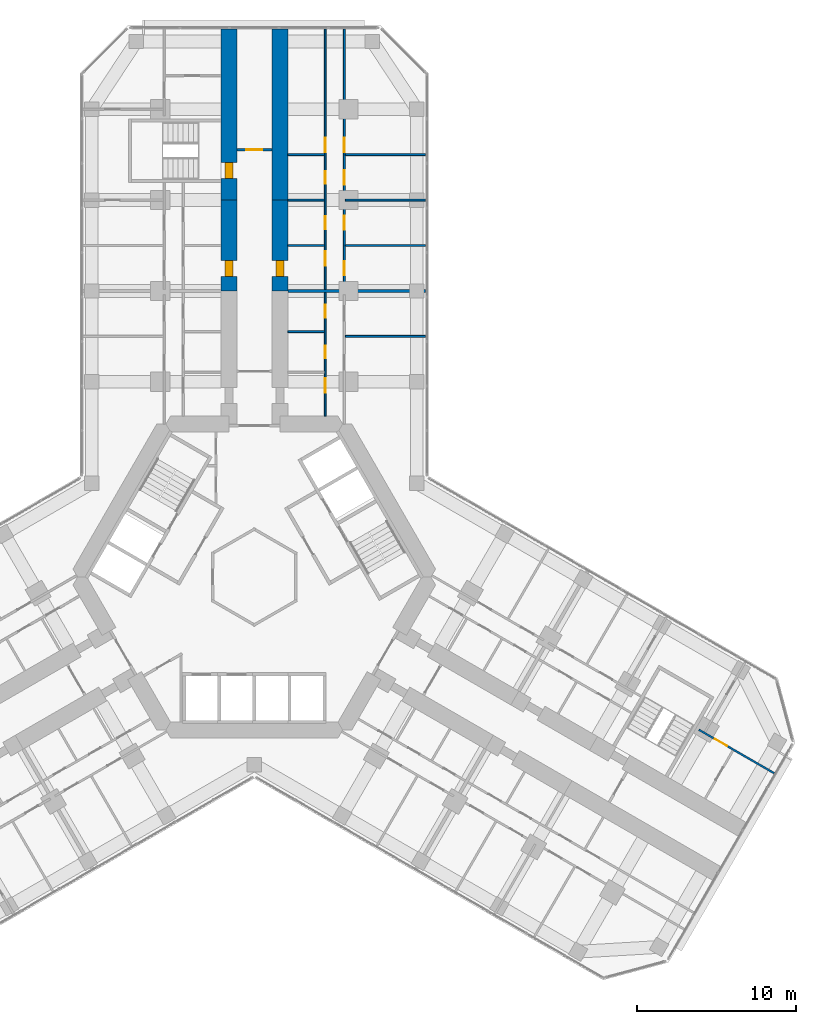
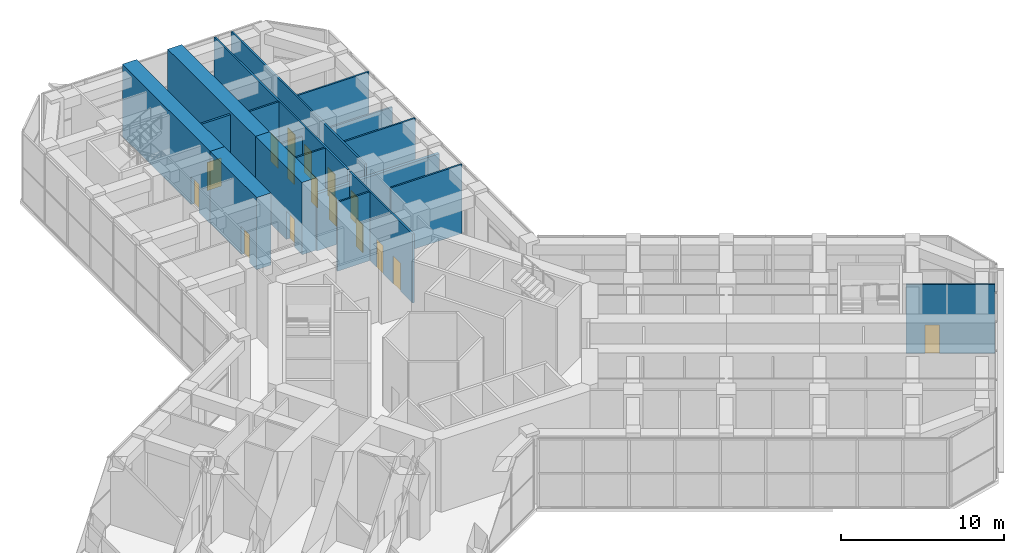
# One storey, part 20 of 23: 18 walls, 16 doors, 16 openings.
"""IFC4 building model written with IfcOpenShell, lengths in metres."""

from ifc_helpers import new_model, si_unit, direction, frame, frame_2d, origin, place, context, subcontext, project, spatial, rectangle, extrude, material, layer, layer_set, type_object, element, fill, save


model = new_model("IFC4")

# Units and contexts
model_context = context("Model", 3, precision=1e-05, world=origin(), true_north=direction((0.0, 1.0)))
body_context = subcontext(model_context, "Body", "Model", "MODEL_VIEW")
ifc_project = project(units=[si_unit("LENGTHUNIT", "METRE"), si_unit("AREAUNIT", "SQUARE_METRE"), si_unit("VOLUMEUNIT", "CUBIC_METRE"), si_unit("PLANEANGLEUNIT", "RADIAN"), si_unit("MASSUNIT", "GRAM", prefix="KILO")], contexts=[model_context])

# Site, building, storey
site_placement = place(None, origin())
site = spatial("IfcSite", under=ifc_project, at=site_placement, CompositionType="ELEMENT")
building_placement = place(site_placement, origin())
building = spatial("IfcBuilding", under=site, at=building_placement, Name="Kosmar Iwan School Tower", CompositionType="ELEMENT")
storey_placement = place(building_placement, frame((0.0, 0.0, 75.39990234375)))
storey = spatial("IfcBuildingStorey", under=building, at=storey_placement, Name="L18", CompositionType="ELEMENT", Elevation=75.39990234375)

# Wall, opening, door
ifc_material_1 = material(Name="Concrete C50/60", Category="concrete")
ifc_layer_1 = layer(ifc_material_1, 1.0)
ifc_layer_set_1 = layer_set([ifc_layer_1], Name="Corridor buttress wall 1000")
wall_type_1 = type_object("IfcWallType", Name="Corridor buttress wall 1000", PredefinedType="SHEAR", material=ifc_layer_set_1)
wall_1_placement = place(storey_placement, frame((-1.60009765625, 17.949951171875, 0.0), z_axis=(0.0, 0.0, 1.0), x_axis=(0.0, 1.0, 0.0)))
wall_1 = element("IfcWall", 1, at=wall_1_placement, inside=storey, type_object=wall_type_1, Name="Corridor wall AL bay 2", PredefinedType="SHEAR", context=body_context, shape_type="SweptSolid", body=[
    extrude(rectangle(XDim=5.699951171875, YDim=1.0, at=frame_2d((2.85009765625, 0.0))), origin(), (0.0, 0.0, 1.0), 5.400146484375),
])
opening_1_placement = place(wall_1_placement, frame((0.89990234375, 0.0, 0.0)))
opening_1 = element("IfcOpeningElement", 2, at=opening_1_placement, cuts=wall_1, Name="Opening D1", PredefinedType="OPENING", context=body_context, shape_type="SweptSolid", body=[
    extrude(rectangle(XDim=1.0, YDim=2.10009765625, at=frame_2d((0.5, 1.050048828125))), frame((0.0, 0.511962890625, 0.0), z_axis=(0.0, -1.0, 0.0), x_axis=(1.0, 0.0, 0.0)), (0.0, 0.0, 1.0), 1.02392578125),
])
ifc_material_2 = material(Name="Timber fire door in steel frame", Category="steel")
door_type_1 = type_object("IfcDoorType", Name="Flat entrance door 1000x2100", OperationType="SINGLE_SWING_LEFT", PredefinedType="DOOR", material=ifc_material_2)
door_1_placement = place(opening_1_placement, origin())
door_1 = element("IfcDoor", 3, at=door_1_placement, inside=storey, type_object=door_type_1, Name="Flat L18-AL2 entrance door", OperationType="SINGLE_SWING_LEFT", OverallHeight=2.10009765625, OverallWidth=1.0, PredefinedType="DOOR", context=body_context, shape_type="SweptSolid", body=[
    extrude(rectangle(XDim=1.0, YDim=2.10009765625, at=frame_2d((0.5, 1.050048828125))), frame((0.0, 0.25, 0.0), z_axis=(0.0, -1.0, 0.0), x_axis=(1.0, 0.0, 0.0)), (0.0, 0.0, 1.0), 0.5),
])
fill(opening_1, door_1)

wall_2_placement = place(storey_placement, frame((-1.60009765625, 23.64990234375, 0.0), z_axis=(0.0, 0.0, 1.0), x_axis=(0.0, 1.0, 0.0)))
wall_2 = element("IfcWall", 4, at=wall_2_placement, inside=storey, type_object=wall_type_1, Name="Corridor wall AL bay 3", PredefinedType="SHEAR", context=body_context, shape_type="SweptSolid", body=[
    extrude(rectangle(XDim=10.7451171875, YDim=1.0, at=frame_2d((5.37255859375, 0.0))), origin(), (0.0, 0.0, 1.0), 5.400146484375),
])
opening_2_placement = place(wall_2_placement, frame((1.35009765625, 0.0, 0.0)))
opening_2 = element("IfcOpeningElement", 5, at=opening_2_placement, cuts=wall_2, Name="Opening D6", PredefinedType="OPENING", context=body_context, shape_type="SweptSolid", body=[
    extrude(rectangle(XDim=1.0, YDim=2.10009765625, at=frame_2d((0.5, 1.050048828125))), frame((0.0, 0.511962890625, 0.0), z_axis=(0.0, -1.0, 0.0), x_axis=(1.0, 0.0, 0.0)), (0.0, 0.0, 1.0), 1.02392578125),
])
ifc_material_3 = material(Name="Steel fire door", Category="steel")
door_type_2 = type_object("IfcDoorType", Name="Stair door 1000x2100", OperationType="SINGLE_SWING_LEFT", PredefinedType="DOOR", material=ifc_material_3)
door_2_placement = place(opening_2_placement, origin())
door_2 = element("IfcDoor", 6, at=door_2_placement, inside=storey, type_object=door_type_2, Name="Stair WS1 door L18", OperationType="SINGLE_SWING_LEFT", OverallHeight=2.10009765625, OverallWidth=1.0, PredefinedType="DOOR", context=body_context, shape_type="SweptSolid", body=[
    extrude(rectangle(XDim=1.0, YDim=2.10009765625, at=frame_2d((0.5, 1.050048828125))), frame((0.0, 0.25, 0.0), z_axis=(0.0, -1.0, 0.0), x_axis=(1.0, 0.0, 0.0)), (0.0, 0.0, 1.0), 0.5),
])
fill(opening_2, door_2)

wall_3_placement = place(storey_placement, frame((1.60009765625, 17.949951171875, 0.0), z_axis=(0.0, 0.0, 1.0), x_axis=(0.0, 1.0, 0.0)))
wall_3 = element("IfcWall", 7, at=wall_3_placement, inside=storey, type_object=wall_type_1, Name="Corridor wall AR bay 2", PredefinedType="SHEAR", context=body_context, shape_type="SweptSolid", body=[
    extrude(rectangle(XDim=5.699951171875, YDim=1.0, at=frame_2d((2.85009765625, 0.0))), origin(), (0.0, 0.0, 1.0), 5.400146484375),
])
opening_3_placement = place(wall_3_placement, frame((0.89990234375, 0.0, 0.0)))
opening_3 = element("IfcOpeningElement", 8, at=opening_3_placement, cuts=wall_3, Name="Opening D1", PredefinedType="OPENING", context=body_context, shape_type="SweptSolid", body=[
    extrude(rectangle(XDim=1.0, YDim=2.10009765625, at=frame_2d((0.5, 1.050048828125))), frame((0.0, 0.511962890625, 0.0), z_axis=(0.0, -1.0, 0.0), x_axis=(1.0, 0.0, 0.0)), (0.0, 0.0, 1.0), 1.02392578125),
])
door_3_placement = place(opening_3_placement, origin())
door_3 = element("IfcDoor", 9, at=door_3_placement, inside=storey, type_object=door_type_1, Name="Flat L18-AR2 entrance door", OperationType="SINGLE_SWING_LEFT", OverallHeight=2.10009765625, OverallWidth=1.0, PredefinedType="DOOR", context=body_context, shape_type="SweptSolid", body=[
    extrude(rectangle(XDim=1.0, YDim=2.10009765625, at=frame_2d((0.5, 1.050048828125))), frame((0.0, 0.25, 0.0), z_axis=(0.0, -1.0, 0.0), x_axis=(1.0, 0.0, 0.0)), (0.0, 0.0, 1.0), 0.5),
])
fill(opening_3, door_3)

# Wall
wall_4_placement = place(storey_placement, frame((1.60009765625, 23.64990234375, 0.0), z_axis=(0.0, 0.0, 1.0), x_axis=(0.0, 1.0, 0.0)))
element("IfcWall", 10, at=wall_4_placement, inside=storey, type_object=wall_type_1, Name="Corridor wall AR bay 3", PredefinedType="SHEAR", context=body_context, shape_type="SweptSolid", body=[
    extrude(rectangle(XDim=10.7451171875, YDim=1.0, at=frame_2d((5.37255859375, 0.0))), origin(), (0.0, 0.0, 1.0), 5.400146484375),
])

# Wall, opening, door
ifc_material_4 = material(Name="Gypsum board on steel studs, fire-rated", Category="steel")
ifc_layer_2 = layer(ifc_material_4, 0.14990234375)
ifc_layer_set_2 = layer_set([ifc_layer_2], Name="Corridor end wall 150")
wall_type_2 = type_object("IfcWallType", Name="Corridor end wall 150", PredefinedType="PARTITIONING", material=ifc_layer_set_2)
wall_5_placement = place(storey_placement, frame((1.10009765625, 26.800048828125, 0.0), z_axis=(0.0, 0.0, 1.0), x_axis=(-1.0, 0.0, 0.0)))
wall_5 = element("IfcWall", 11, at=wall_5_placement, inside=storey, type_object=wall_type_2, Name="Partition L18-A-CE", PredefinedType="PARTITIONING", context=body_context, shape_type="SweptSolid", body=[
    extrude(rectangle(XDim=2.2001953125, YDim=0.14990234375, at=frame_2d((1.10009765625, 0.0))), origin(), (0.0, 0.0, 1.0), 5.150146484375),
])
opening_4_placement = place(wall_5_placement, frame((0.60009765625, 0.0, 0.0)))
opening_4 = element("IfcOpeningElement", 12, at=opening_4_placement, cuts=wall_5, Name="Opening D13", PredefinedType="OPENING", context=body_context, shape_type="SweptSolid", body=[
    extrude(rectangle(XDim=1.0, YDim=2.10009765625, at=frame_2d((0.5, 1.050048828125))), frame((0.0, 0.0869140625, 0.0), z_axis=(0.0, -1.0, 0.0), x_axis=(1.0, 0.0, 0.0)), (0.0, 0.0, 1.0), 0.173828125),
])
ifc_material_5 = material(Name="Timber fire door with vision panel", Category="wood")
door_type_3 = type_object("IfcDoorType", Name="Corridor end door 1000x2100", OperationType="SINGLE_SWING_LEFT", PredefinedType="DOOR", material=ifc_material_5)
door_4_placement = place(opening_4_placement, origin())
door_4 = element("IfcDoor", 13, at=door_4_placement, inside=storey, type_object=door_type_3, Name="Family study room door L18-A", OperationType="SINGLE_SWING_RIGHT", OverallHeight=2.10009765625, OverallWidth=1.0, PredefinedType="DOOR", context=body_context, shape_type="SweptSolid", body=[
    extrude(rectangle(XDim=1.0, YDim=2.10009765625, at=frame_2d((0.5, 1.050048828125))), frame((0.0, 0.02490234375, 0.0), z_axis=(0.0, -1.0, 0.0), x_axis=(1.0, 0.0, 0.0)), (0.0, 0.0, 1.0), 0.050048828125),
])
fill(opening_4, door_4)

# Wall, openings, doors
ifc_material_6 = material(Name="Gypsum board on steel studs", Category="steel")
ifc_layer_3 = layer(ifc_material_6, 0.1201171875)
ifc_layer_set_3 = layer_set([ifc_layer_3], Name="Dwelling partition 120")
wall_type_3 = type_object("IfcWallType", Name="Dwelling partition 120", PredefinedType="PARTITIONING", material=ifc_layer_set_3)
wall_6_placement = place(storey_placement, frame((4.449951171875, 10.10009765625, 0.0), z_axis=(0.0, 0.0, 1.0), x_axis=(0.0, 1.0, 0.0)))
wall_6 = element("IfcWall", 14, at=wall_6_placement, inside=storey, type_object=wall_type_3, Name="Partition L18-AR1-W1", PredefinedType="PARTITIONING", context=body_context, shape_type="SweptSolid", body=[
    extrude(rectangle(XDim=7.75, YDim=0.1201171875, at=frame_2d((3.875, 0.0))), origin(), (0.0, 0.0, 1.0), 5.150146484375),
])
opening_5_placement = place(wall_6_placement, frame((1.47509765625, 0.0, 0.0)))
opening_5 = element("IfcOpeningElement", 15, at=opening_5_placement, cuts=wall_6, Name="Opening D2", PredefinedType="OPENING", context=body_context, shape_type="SweptSolid", body=[
    extrude(rectangle(XDim=0.89990234375, YDim=2.10009765625, at=frame_2d((0.449951171875, 1.050048828125))), frame((0.0, 0.072021484375, 0.0), z_axis=(0.0, -1.0, 0.0), x_axis=(1.0, 0.0, 0.0)), (0.0, 0.0, 1.0), 0.14404296875),
])
opening_6_placement = place(wall_6_placement, frame((3.625, 0.0, 0.0)))
opening_6 = element("IfcOpeningElement", 16, at=opening_6_placement, cuts=wall_6, Name="Opening D3", PredefinedType="OPENING", context=body_context, shape_type="SweptSolid", body=[
    extrude(rectangle(XDim=0.800048828125, YDim=2.10009765625, at=frame_2d((0.39990234375, 1.050048828125))), frame((0.0, 0.072021484375, 0.0), z_axis=(0.0, -1.0, 0.0), x_axis=(1.0, 0.0, 0.0)), (0.0, 0.0, 1.0), 0.14404296875),
])
opening_7_placement = place(wall_6_placement, frame((6.175048828125, 0.0, 0.0)))
opening_7 = element("IfcOpeningElement", 17, at=opening_7_placement, cuts=wall_6, Name="Opening D3", PredefinedType="OPENING", context=body_context, shape_type="SweptSolid", body=[
    extrude(rectangle(XDim=0.800048828125, YDim=2.10009765625, at=frame_2d((0.39990234375, 1.050048828125))), frame((0.0, 0.072021484375, 0.0), z_axis=(0.0, -1.0, 0.0), x_axis=(1.0, 0.0, 0.0)), (0.0, 0.0, 1.0), 0.14404296875),
])
ifc_material_7 = material(Name="Timber door in timber frame", Category="wood")
door_type_4 = type_object("IfcDoorType", Name="Internal door 900x2100", OperationType="SINGLE_SWING_LEFT", PredefinedType="DOOR", material=ifc_material_7)
door_5_placement = place(opening_5_placement, origin())
door_5 = element("IfcDoor", 18, at=door_5_placement, inside=storey, type_object=door_type_4, Name="Entrance hall door L18-AR1-S1", OperationType="SINGLE_SWING_RIGHT", OverallHeight=2.10009765625, OverallWidth=0.89990234375, PredefinedType="DOOR", context=body_context, shape_type="SweptSolid", body=[
    extrude(rectangle(XDim=0.89990234375, YDim=2.10009765625, at=frame_2d((0.449951171875, 1.050048828125))), frame((0.0, 0.02490234375, 0.0), z_axis=(0.0, -1.0, 0.0), x_axis=(1.0, 0.0, 0.0)), (0.0, 0.0, 1.0), 0.050048828125),
])
fill(opening_5, door_5)
ifc_material_8 = material(Name="Timber door in timber frame", Category="wood")
door_type_5 = type_object("IfcDoorType", Name="Sanitary room door 800x2100", OperationType="SINGLE_SWING_LEFT", PredefinedType="DOOR", material=ifc_material_8)
door_6_placement = place(opening_6_placement, origin())
door_6 = element("IfcDoor", 19, at=door_6_placement, inside=storey, type_object=door_type_5, Name="Bathroom door L18-AR1-S2", OperationType="SINGLE_SWING_RIGHT", OverallHeight=2.10009765625, OverallWidth=0.800048828125, PredefinedType="DOOR", context=body_context, shape_type="SweptSolid", body=[
    extrude(rectangle(XDim=0.800048828125, YDim=2.10009765625, at=frame_2d((0.39990234375, 1.050048828125))), frame((0.0, 0.02490234375, 0.0), z_axis=(0.0, -1.0, 0.0), x_axis=(1.0, 0.0, 0.0)), (0.0, 0.0, 1.0), 0.050048828125),
])
fill(opening_6, door_6)
door_7_placement = place(opening_7_placement, origin())
door_7 = element("IfcDoor", 20, at=door_7_placement, inside=storey, type_object=door_type_5, Name="Store door L18-AR1-S3", OperationType="SINGLE_SWING_RIGHT", OverallHeight=2.10009765625, OverallWidth=0.800048828125, PredefinedType="DOOR", context=body_context, shape_type="SweptSolid", body=[
    extrude(rectangle(XDim=0.800048828125, YDim=2.10009765625, at=frame_2d((0.39990234375, 1.050048828125))), frame((0.0, 0.02490234375, 0.0), z_axis=(0.0, -1.0, 0.0), x_axis=(1.0, 0.0, 0.0)), (0.0, 0.0, 1.0), 0.050048828125),
])
fill(opening_7, door_7)

# Walls
wall_7_placement = place(storey_placement, frame((5.7099609375, 15.10009765625, 0.0), z_axis=(0.0, 0.0, 1.0), x_axis=(1.0, 0.0, 0.0)))
element("IfcWall", 21, at=wall_7_placement, inside=storey, type_object=wall_type_3, Name="Partition L18-AR1-X1", PredefinedType="PARTITIONING", context=body_context, shape_type="SweptSolid", body=[
    extrude(rectangle(XDim=5.03515625, YDim=0.1201171875, at=frame_2d((2.517578125, 0.0))), origin(), (0.0, 0.0, 1.0), 5.150146484375),
])
wall_8_placement = place(storey_placement, frame((2.10009765625, 15.39990234375, 0.0), z_axis=(0.0, 0.0, 1.0), x_axis=(1.0, 0.0, 0.0)))
element("IfcWall", 22, at=wall_8_placement, inside=storey, type_object=wall_type_3, Name="Partition L18-AR1-Y2", PredefinedType="PARTITIONING", context=body_context, shape_type="SweptSolid", body=[
    extrude(rectangle(XDim=2.289794921875, YDim=0.1201171875, at=frame_2d((1.14501953125, 0.0))), origin(), (0.0, 0.0, 1.0), 5.150146484375),
])

# Wall, openings, doors
wall_9_placement = place(storey_placement, frame((4.449951171875, 18.050048828125, 0.0), z_axis=(0.0, 0.0, 1.0), x_axis=(0.0, 1.0, 0.0)))
wall_9 = element("IfcWall", 23, at=wall_9_placement, inside=storey, type_object=wall_type_3, Name="Partition L18-AR2-W1", PredefinedType="PARTITIONING", context=body_context, shape_type="SweptSolid", body=[
    extrude(rectangle(XDim=16.344970703125, YDim=0.1201171875, at=frame_2d((8.17236328125, 0.0))), origin(), (0.0, 0.0, 1.0), 5.150146484375),
])
opening_8_placement = place(wall_9_placement, frame((1.47509765625, 0.0, 0.0)))
opening_8 = element("IfcOpeningElement", 24, at=opening_8_placement, cuts=wall_9, Name="Opening D2", PredefinedType="OPENING", context=body_context, shape_type="SweptSolid", body=[
    extrude(rectangle(XDim=0.89990234375, YDim=2.10009765625, at=frame_2d((0.449951171875, 1.050048828125))), frame((0.0, 0.072021484375, 0.0), z_axis=(0.0, -1.0, 0.0), x_axis=(1.0, 0.0, 0.0)), (0.0, 0.0, 1.0), 0.14404296875),
])
opening_9_placement = place(wall_9_placement, frame((3.77490234375, 0.0, 0.0)))
opening_9 = element("IfcOpeningElement", 25, at=opening_9_placement, cuts=wall_9, Name="Opening D3", PredefinedType="OPENING", context=body_context, shape_type="SweptSolid", body=[
    extrude(rectangle(XDim=0.800048828125, YDim=2.10009765625, at=frame_2d((0.39990234375, 1.050048828125))), frame((0.0, 0.072021484375, 0.0), z_axis=(0.0, -1.0, 0.0), x_axis=(1.0, 0.0, 0.0)), (0.0, 0.0, 1.0), 0.14404296875),
])
opening_10_placement = place(wall_9_placement, frame((6.625, 0.0, 0.0)))
opening_10 = element("IfcOpeningElement", 26, at=opening_10_placement, cuts=wall_9, Name="Opening D3", PredefinedType="OPENING", context=body_context, shape_type="SweptSolid", body=[
    extrude(rectangle(XDim=0.800048828125, YDim=2.10009765625, at=frame_2d((0.39990234375, 1.050048828125))), frame((0.0, 0.072021484375, 0.0), z_axis=(0.0, -1.0, 0.0), x_axis=(1.0, 0.0, 0.0)), (0.0, 0.0, 1.0), 0.14404296875),
])
opening_11_placement = place(wall_9_placement, frame((8.610107421875, 0.0, 0.0)))
opening_11 = element("IfcOpeningElement", 27, at=opening_11_placement, cuts=wall_9, Name="Opening D2", PredefinedType="OPENING", context=body_context, shape_type="SweptSolid", body=[
    extrude(rectangle(XDim=0.89990234375, YDim=2.10009765625, at=frame_2d((0.449951171875, 1.050048828125))), frame((0.0, 0.072021484375, 0.0), z_axis=(0.0, -1.0, 0.0), x_axis=(1.0, 0.0, 0.0)), (0.0, 0.0, 1.0), 0.14404296875),
])
door_8_placement = place(opening_8_placement, origin())
door_8 = element("IfcDoor", 28, at=door_8_placement, inside=storey, type_object=door_type_4, Name="Entrance hall door L18-AR2-S1", OperationType="SINGLE_SWING_RIGHT", OverallHeight=2.10009765625, OverallWidth=0.89990234375, PredefinedType="DOOR", context=body_context, shape_type="SweptSolid", body=[
    extrude(rectangle(XDim=0.89990234375, YDim=2.10009765625, at=frame_2d((0.449951171875, 1.050048828125))), frame((0.0, 0.02490234375, 0.0), z_axis=(0.0, -1.0, 0.0), x_axis=(1.0, 0.0, 0.0)), (0.0, 0.0, 1.0), 0.050048828125),
])
fill(opening_8, door_8)
door_9_placement = place(opening_11_placement, origin())
door_9 = element("IfcDoor", 29, at=door_9_placement, inside=storey, type_object=door_type_4, Name="Bedroom 4 door L18-AR2-S4", OperationType="SINGLE_SWING_LEFT", OverallHeight=2.10009765625, OverallWidth=0.89990234375, PredefinedType="DOOR", context=body_context, shape_type="SweptSolid", body=[
    extrude(rectangle(XDim=0.89990234375, YDim=2.10009765625, at=frame_2d((0.449951171875, 1.050048828125))), frame((0.0, 0.02490234375, 0.0), z_axis=(0.0, -1.0, 0.0), x_axis=(1.0, 0.0, 0.0)), (0.0, 0.0, 1.0), 0.050048828125),
])
fill(opening_11, door_9)
door_10_placement = place(opening_9_placement, origin())
door_10 = element("IfcDoor", 30, at=door_10_placement, inside=storey, type_object=door_type_5, Name="Bathroom door L18-AR2-S2", OperationType="SINGLE_SWING_RIGHT", OverallHeight=2.10009765625, OverallWidth=0.800048828125, PredefinedType="DOOR", context=body_context, shape_type="SweptSolid", body=[
    extrude(rectangle(XDim=0.800048828125, YDim=2.10009765625, at=frame_2d((0.39990234375, 1.050048828125))), frame((0.0, 0.02490234375, 0.0), z_axis=(0.0, -1.0, 0.0), x_axis=(1.0, 0.0, 0.0)), (0.0, 0.0, 1.0), 0.050048828125),
])
fill(opening_9, door_10)
door_11_placement = place(opening_10_placement, origin())
door_11 = element("IfcDoor", 31, at=door_11_placement, inside=storey, type_object=door_type_5, Name="Shower room door L18-AR2-S3", OperationType="SINGLE_SWING_LEFT", OverallHeight=2.10009765625, OverallWidth=0.800048828125, PredefinedType="DOOR", context=body_context, shape_type="SweptSolid", body=[
    extrude(rectangle(XDim=0.800048828125, YDim=2.10009765625, at=frame_2d((0.39990234375, 1.050048828125))), frame((0.0, 0.02490234375, 0.0), z_axis=(0.0, -1.0, 0.0), x_axis=(1.0, 0.0, 0.0)), (0.0, 0.0, 1.0), 0.050048828125),
])
fill(opening_10, door_11)

wall_10_placement = place(storey_placement, frame((5.64990234375, 18.050048828125, 0.0), z_axis=(0.0, 0.0, 1.0), x_axis=(0.0, 1.0, 0.0)))
wall_10 = element("IfcWall", 32, at=wall_10_placement, inside=storey, type_object=wall_type_3, Name="Partition L18-AR2-W2", PredefinedType="PARTITIONING", context=body_context, shape_type="SweptSolid", body=[
    extrude(rectangle(XDim=16.344970703125, YDim=0.1201171875, at=frame_2d((8.17236328125, 0.0))), origin(), (0.0, 0.0, 1.0), 5.150146484375),
])
opening_12_placement = place(wall_10_placement, frame((0.875, 0.0, 0.0)))
opening_12 = element("IfcOpeningElement", 33, at=opening_12_placement, cuts=wall_10, Name="Opening D2", PredefinedType="OPENING", context=body_context, shape_type="SweptSolid", body=[
    extrude(rectangle(XDim=0.89990234375, YDim=2.10009765625, at=frame_2d((0.449951171875, 1.050048828125))), frame((0.0, 0.072021484375, 0.0), z_axis=(0.0, -1.0, 0.0), x_axis=(1.0, 0.0, 0.0)), (0.0, 0.0, 1.0), 0.14404296875),
])
opening_13_placement = place(wall_10_placement, frame((3.72509765625, 0.0, 0.0)))
opening_13 = element("IfcOpeningElement", 34, at=opening_13_placement, cuts=wall_10, Name="Opening D2", PredefinedType="OPENING", context=body_context, shape_type="SweptSolid", body=[
    extrude(rectangle(XDim=0.89990234375, YDim=2.10009765625, at=frame_2d((0.449951171875, 1.050048828125))), frame((0.0, 0.072021484375, 0.0), z_axis=(0.0, -1.0, 0.0), x_axis=(1.0, 0.0, 0.0)), (0.0, 0.0, 1.0), 0.14404296875),
])
opening_14_placement = place(wall_10_placement, frame((6.574951171875, 0.0, 0.0)))
opening_14 = element("IfcOpeningElement", 35, at=opening_14_placement, cuts=wall_10, Name="Opening D2", PredefinedType="OPENING", context=body_context, shape_type="SweptSolid", body=[
    extrude(rectangle(XDim=0.89990234375, YDim=2.10009765625, at=frame_2d((0.449951171875, 1.050048828125))), frame((0.0, 0.072021484375, 0.0), z_axis=(0.0, -1.0, 0.0), x_axis=(1.0, 0.0, 0.0)), (0.0, 0.0, 1.0), 0.14404296875),
])
opening_15_placement = place(wall_10_placement, frame((8.610107421875, 0.0, 0.0)))
opening_15 = element("IfcOpeningElement", 36, at=opening_15_placement, cuts=wall_10, Name="Opening D2", PredefinedType="OPENING", context=body_context, shape_type="SweptSolid", body=[
    extrude(rectangle(XDim=0.89990234375, YDim=2.10009765625, at=frame_2d((0.449951171875, 1.050048828125))), frame((0.0, 0.072021484375, 0.0), z_axis=(0.0, -1.0, 0.0), x_axis=(1.0, 0.0, 0.0)), (0.0, 0.0, 1.0), 0.14404296875),
])
door_12_placement = place(opening_12_placement, origin())
door_12 = element("IfcDoor", 37, at=door_12_placement, inside=storey, type_object=door_type_4, Name="Bedroom 1 door L18-AR2-F1", OperationType="SINGLE_SWING_LEFT", OverallHeight=2.10009765625, OverallWidth=0.89990234375, PredefinedType="DOOR", context=body_context, shape_type="SweptSolid", body=[
    extrude(rectangle(XDim=0.89990234375, YDim=2.10009765625, at=frame_2d((0.449951171875, 1.050048828125))), frame((0.0, 0.02490234375, 0.0), z_axis=(0.0, -1.0, 0.0), x_axis=(1.0, 0.0, 0.0)), (0.0, 0.0, 1.0), 0.050048828125),
])
fill(opening_12, door_12)
door_13_placement = place(opening_13_placement, origin())
door_13 = element("IfcDoor", 38, at=door_13_placement, inside=storey, type_object=door_type_4, Name="Bedroom 2 door L18-AR2-F2", OperationType="SINGLE_SWING_LEFT", OverallHeight=2.10009765625, OverallWidth=0.89990234375, PredefinedType="DOOR", context=body_context, shape_type="SweptSolid", body=[
    extrude(rectangle(XDim=0.89990234375, YDim=2.10009765625, at=frame_2d((0.449951171875, 1.050048828125))), frame((0.0, 0.02490234375, 0.0), z_axis=(0.0, -1.0, 0.0), x_axis=(1.0, 0.0, 0.0)), (0.0, 0.0, 1.0), 0.050048828125),
])
fill(opening_13, door_13)
door_14_placement = place(opening_14_placement, origin())
door_14 = element("IfcDoor", 39, at=door_14_placement, inside=storey, type_object=door_type_4, Name="Bedroom 3 door L18-AR2-F3", OperationType="SINGLE_SWING_LEFT", OverallHeight=2.10009765625, OverallWidth=0.89990234375, PredefinedType="DOOR", context=body_context, shape_type="SweptSolid", body=[
    extrude(rectangle(XDim=0.89990234375, YDim=2.10009765625, at=frame_2d((0.449951171875, 1.050048828125))), frame((0.0, 0.02490234375, 0.0), z_axis=(0.0, -1.0, 0.0), x_axis=(1.0, 0.0, 0.0)), (0.0, 0.0, 1.0), 0.050048828125),
])
fill(opening_14, door_14)
door_15_placement = place(opening_15_placement, origin())
door_15 = element("IfcDoor", 40, at=door_15_placement, inside=storey, type_object=door_type_4, Name="Living room and kitchen door L18-AR2-F4", OperationType="SINGLE_SWING_RIGHT", OverallHeight=2.10009765625, OverallWidth=0.89990234375, PredefinedType="DOOR", context=body_context, shape_type="SweptSolid", body=[
    extrude(rectangle(XDim=0.89990234375, YDim=2.10009765625, at=frame_2d((0.449951171875, 1.050048828125))), frame((0.0, 0.02490234375, 0.0), z_axis=(0.0, -1.0, 0.0), x_axis=(1.0, 0.0, 0.0)), (0.0, 0.0, 1.0), 0.050048828125),
])
fill(opening_15, door_15)

# Walls
wall_11_placement = place(storey_placement, frame((5.7099609375, 20.800048828125, 0.0), z_axis=(0.0, 0.0, 1.0), x_axis=(1.0, 0.0, 0.0)))
element("IfcWall", 41, at=wall_11_placement, inside=storey, type_object=wall_type_3, Name="Partition L18-AR2-X1", PredefinedType="PARTITIONING", context=body_context, shape_type="SweptSolid", body=[
    extrude(rectangle(XDim=5.03515625, YDim=0.1201171875, at=frame_2d((2.517578125, 0.0))), origin(), (0.0, 0.0, 1.0), 5.150146484375),
])
wall_12_placement = place(storey_placement, frame((5.7099609375, 23.64990234375, 0.0), z_axis=(0.0, 0.0, 1.0), x_axis=(1.0, 0.0, 0.0)))
element("IfcWall", 42, at=wall_12_placement, inside=storey, type_object=wall_type_3, Name="Partition L18-AR2-X2", PredefinedType="PARTITIONING", context=body_context, shape_type="SweptSolid", body=[
    extrude(rectangle(XDim=5.03515625, YDim=0.1201171875, at=frame_2d((2.517578125, 0.0))), origin(), (0.0, 0.0, 1.0), 4.25),
])
wall_13_placement = place(storey_placement, frame((5.7099609375, 26.5, 0.0), z_axis=(0.0, 0.0, 1.0), x_axis=(1.0, 0.0, 0.0)))
element("IfcWall", 43, at=wall_13_placement, inside=storey, type_object=wall_type_3, Name="Partition L18-AR2-X3", PredefinedType="PARTITIONING", context=body_context, shape_type="SweptSolid", body=[
    extrude(rectangle(XDim=5.03515625, YDim=0.1201171875, at=frame_2d((2.517578125, 0.0))), origin(), (0.0, 0.0, 1.0), 5.150146484375),
])
wall_14_placement = place(storey_placement, frame((2.10009765625, 20.800048828125, 0.0), z_axis=(0.0, 0.0, 1.0), x_axis=(1.0, 0.0, 0.0)))
element("IfcWall", 44, at=wall_14_placement, inside=storey, type_object=wall_type_3, Name="Partition L18-AR2-Y1", PredefinedType="PARTITIONING", context=body_context, shape_type="SweptSolid", body=[
    extrude(rectangle(XDim=2.289794921875, YDim=0.1201171875, at=frame_2d((1.14501953125, 0.0))), origin(), (0.0, 0.0, 1.0), 5.150146484375),
])
wall_15_placement = place(storey_placement, frame((2.10009765625, 23.64990234375, 0.0), z_axis=(0.0, 0.0, 1.0), x_axis=(1.0, 0.0, 0.0)))
element("IfcWall", 45, at=wall_15_placement, inside=storey, type_object=wall_type_3, Name="Partition L18-AR2-Y2", PredefinedType="PARTITIONING", context=body_context, shape_type="SweptSolid", body=[
    extrude(rectangle(XDim=2.289794921875, YDim=0.1201171875, at=frame_2d((1.14501953125, 0.0))), origin(), (0.0, 0.0, 1.0), 4.25),
])
wall_16_placement = place(storey_placement, frame((2.10009765625, 26.5, 0.0), z_axis=(0.0, 0.0, 1.0), x_axis=(1.0, 0.0, 0.0)))
element("IfcWall", 46, at=wall_16_placement, inside=storey, type_object=wall_type_3, Name="Partition L18-AR2-Y3", PredefinedType="PARTITIONING", context=body_context, shape_type="SweptSolid", body=[
    extrude(rectangle(XDim=2.289794921875, YDim=0.1201171875, at=frame_2d((1.14501953125, 0.0))), origin(), (0.0, 0.0, 1.0), 5.150146484375),
])

# Wall, opening, door
wall_17_placement = place(storey_placement, frame((27.896484375, -9.58203125, 0.0), z_axis=(0.0, 0.0, 1.0), x_axis=(0.866035508231, -0.499982498177, 0.0)))
wall_17 = element("IfcWall", 47, at=wall_17_placement, inside=storey, type_object=wall_type_3, Name="Partition L18-CL2-TW", PredefinedType="PARTITIONING", context=body_context, shape_type="SweptSolid", body=[
    extrude(rectangle(XDim=5.445068359375, YDim=0.1201171875, at=frame_2d((2.72265625, 0.0))), origin(), (0.0, 0.0, 1.0), 5.150146484375),
])
opening_16_placement = place(wall_17_placement, frame((1.14990234375, 0.0, 0.0)))
opening_16 = element("IfcOpeningElement", 48, at=opening_16_placement, cuts=wall_17, Name="Opening D2", PredefinedType="OPENING", context=body_context, shape_type="SweptSolid", body=[
    extrude(rectangle(XDim=0.89990234375, YDim=2.10009765625, at=frame_2d((0.449951171875, 1.050048828125))), frame((0.0, 0.072021484375, 0.0), z_axis=(0.0, -1.0, 0.0), x_axis=(1.0, 0.0, 0.0)), (0.0, 0.0, 1.0), 0.14404296875),
])
door_16_placement = place(opening_16_placement, origin())
door_16 = element("IfcDoor", 49, at=door_16_placement, inside=storey, type_object=door_type_4, Name="Shower room door L18-CL2-T3", OperationType="SINGLE_SWING_LEFT", OverallHeight=2.10009765625, OverallWidth=0.89990234375, PredefinedType="DOOR", context=body_context, shape_type="SweptSolid", body=[
    extrude(rectangle(XDim=0.89990234375, YDim=2.10009765625, at=frame_2d((0.449951171875, 1.050048828125))), frame((0.0, 0.02490234375, 0.0), z_axis=(0.0, -1.0, 0.0), x_axis=(1.0, 0.0, 0.0)), (0.0, 0.0, 1.0), 0.050048828125),
])
fill(opening_16, door_16)

# Wall
ifc_material_9 = material(Name="Concrete block masonry", Category="masonry")
ifc_layer_4 = layer(ifc_material_9, 0.199951171875)
ifc_layer_set_4 = layer_set([ifc_layer_4], Name="Party wall 200")
wall_type_4 = type_object("IfcWallType", Name="Party wall 200", PredefinedType="PARTITIONING", material=ifc_layer_set_4)
wall_18_placement = place(storey_placement, frame((2.10009765625, 17.949951171875, 0.0), z_axis=(0.0, 0.0, 1.0), x_axis=(1.0, 0.0, 0.0)))
element("IfcWall", 50, at=wall_18_placement, inside=storey, type_object=wall_type_4, Name="Partition L18-AR2-PW", PredefinedType="PARTITIONING", context=body_context, shape_type="SweptSolid", body=[
    extrude(rectangle(XDim=8.64501953125, YDim=0.199951171875, at=frame_2d((4.322509765625, 0.0))), origin(), (0.0, 0.0, 1.0), 4.25),
])

save(model, "model.ifc")
